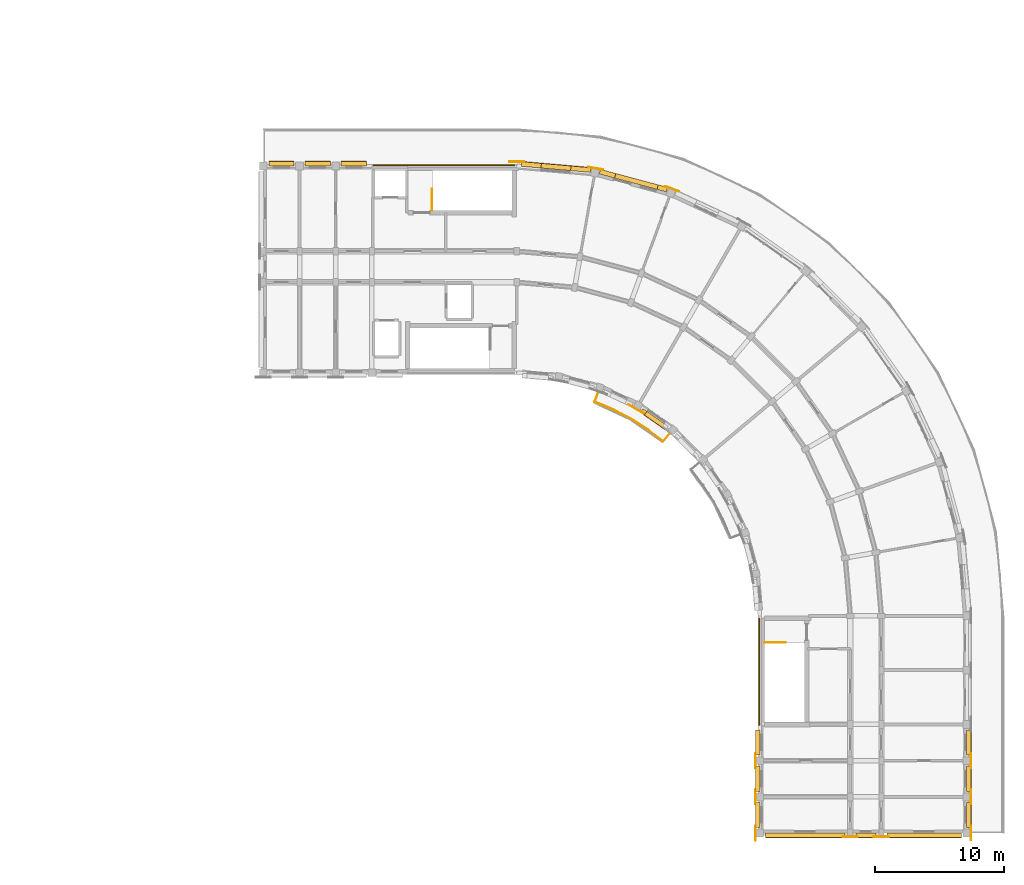
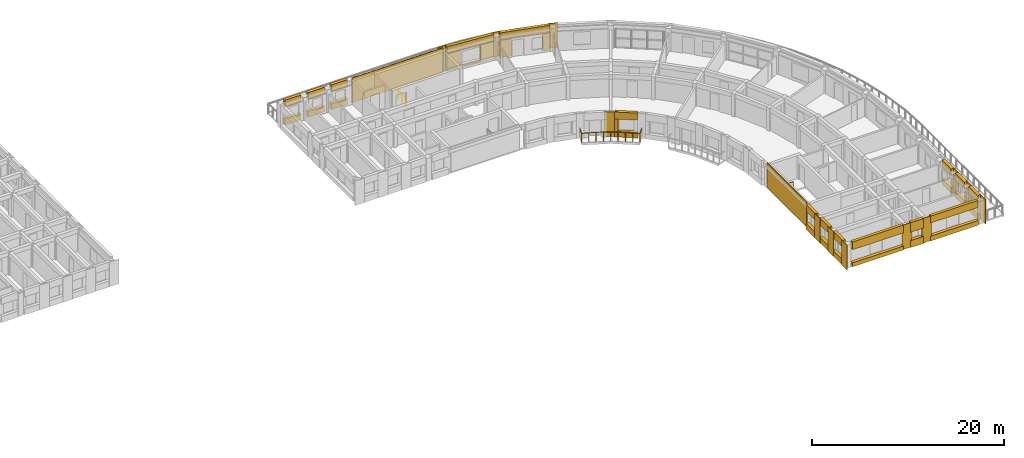
# One storey, part 30 of 32: 48 coverings, 3 railings.
"""IFC4 building model written with IfcOpenShell, lengths in metres."""

from ifc_helpers import new_model, si_unit, direction, frame, origin, origin_2d, place, context, subcontext, project, spatial, polyline, circle, outline, extrude, material, layer, layer_set, type_object, element, save


model = new_model("IFC4")

# Units and contexts
model_context = context("Model", 3, precision=1e-05, world=origin(), true_north=direction((0.0, 1.0)))
body_context = subcontext(model_context, "Body", "Model", "MODEL_VIEW")
ifc_project = project(units=[si_unit("LENGTHUNIT", "METRE"), si_unit("AREAUNIT", "SQUARE_METRE"), si_unit("VOLUMEUNIT", "CUBIC_METRE"), si_unit("PLANEANGLEUNIT", "RADIAN"), si_unit("MASSUNIT", "GRAM", prefix="KILO")], contexts=[model_context])

# Site, building, storey
site_placement = place(None, origin())
site = spatial("IfcSite", under=ifc_project, at=site_placement, CompositionType="ELEMENT")
building_placement = place(site_placement, origin())
building = spatial("IfcBuilding", under=site, at=building_placement, Name="Kiranvali Square Residences", CompositionType="ELEMENT")
storey_placement = place(building_placement, frame((0.0, 0.0, 40.199951171875)))
storey = spatial("IfcBuildingStorey", under=building, at=storey_placement, Name="L12", CompositionType="ELEMENT", Elevation=40.199951171875)

# Coverings
ifc_material_1 = material(Name="Honed Porbandar limestone ashlar facade cladding", Category="masonry")
ifc_layer_1 = layer(ifc_material_1, 0.3798828125)
ifc_layer_set_1 = layer_set([ifc_layer_1], Name="Honed Porbandar limestone ashlar facade cladding")
covering_type_1 = type_object("IfcCoveringType", Name="COV-CLAD-JAMB", PredefinedType="CLADDING", material=ifc_layer_set_1)
covering_1_placement = place(storey_placement, frame((0.0, 0.0, 0.35205078125)))
element("IfcCovering", 1, at=covering_1_placement, inside=storey, type_object=covering_type_1, Name="L12 deep limestone window jamb reveal B-L12-CRV-00.L", PredefinedType="CLADDING", context=body_context, shape_type="SweptSolid", body=[
    extrude(outline(polyline([(120.148681640625, 122.570068359375), (121.67578125, 122.436279296875), (121.707275390625, 122.79443359375), (120.179931640625, 122.92822265625), (120.148681640625, 122.570068359375)])), origin(), (0.0, 0.0, 1.0), 1.89990234375),
])
covering_2_placement = place(storey_placement, frame((0.0, 0.0, 0.35205078125)))
element("IfcCovering", 2, at=covering_2_placement, inside=storey, type_object=covering_type_1, Name="L12 deep limestone window jamb reveal B-L12-CRV-00.R", PredefinedType="CLADDING", context=body_context, shape_type="SweptSolid", body=[
    extrude(outline(polyline([(123.967041015625, 122.23583984375), (125.494384765625, 122.102294921875), (125.525634765625, 122.46044921875), (123.99853515625, 122.593994140625), (123.967041015625, 122.23583984375)])), origin(), (0.0, 0.0, 1.0), 1.89990234375),
])
covering_3_placement = place(storey_placement, origin())
element("IfcCovering", 3, at=covering_3_placement, inside=storey, type_object=covering_type_1, Name="L12 deep limestone window jamb reveal B-L12-CRV-01.L", PredefinedType="CLADDING", context=body_context, shape_type="SweptSolid", body=[
    extrude(outline(polyline([(126.18115234375, 121.981201171875), (127.367431640625, 121.663330078125), (127.46044921875, 122.010498046875), (126.274169921875, 122.328369140625), (126.18115234375, 121.981201171875)])), origin(), (0.0, 0.0, 1.0), 2.179931640625),
])
covering_4_placement = place(storey_placement, origin())
element("IfcCovering", 4, at=covering_4_placement, inside=storey, type_object=covering_type_1, Name="L12 deep limestone window jamb reveal B-L12-CRV-01.R", PredefinedType="CLADDING", context=body_context, shape_type="SweptSolid", body=[
    extrude(outline(polyline([(130.64453125, 120.78515625), (131.3642578125, 120.59228515625), (131.45751953125, 120.939697265625), (130.737548828125, 121.132568359375), (130.64453125, 120.78515625)])), origin(), (0.0, 0.0, 1.0), 2.179931640625),
])
covering_5_placement = place(storey_placement, frame((0.0, 0.0, 0.652099609375)))
element("IfcCovering", 5, at=covering_5_placement, inside=storey, type_object=covering_type_1, Name="L12 deep limestone window jamb reveal B-L12-GDN-03.L", PredefinedType="CLADDING", context=body_context, shape_type="SweptSolid", body=[
    extrude(outline(polyline([(129.365478515625, 103.55029296875), (129.67138671875, 103.336181640625), (129.8662109375, 103.6142578125), (129.56005859375, 103.828369140625), (129.365478515625, 103.55029296875)])), origin(), (0.0, 0.0, 1.0), 1.599853515625),
])
ifc_layer_2 = layer(ifc_material_1, 0.06494140625)
ifc_layer_set_2 = layer_set([ifc_layer_2], Name="Honed Porbandar limestone ashlar facade cladding")
covering_type_2 = type_object("IfcCoveringType", Name="COV-CLAD-PIER", PredefinedType="CLADDING", material=ifc_layer_set_2)
covering_6_placement = place(storey_placement, frame((0.0, 0.0, 0.005126953125)))
element("IfcCovering", 6, at=covering_6_placement, inside=storey, type_object=covering_type_2, Name="L12 Classical limestone corner pilaster CLAD-PR-B-L12-A00", PredefinedType="CLADDING", context=body_context, shape_type="SweptSolid", body=[
    extrude(outline(polyline([(120.3798828125, 122.968017578125), (119.219970703125, 122.968017578125), (119.219970703125, 122.900390625), (120.3798828125, 122.900390625), (120.3798828125, 122.968017578125)])), origin(), (0.0, 0.0, 1.0), 3.139892578125),
])
covering_7_placement = place(storey_placement, frame((0.0, 0.0, 0.005126953125)))
element("IfcCovering", 7, at=covering_7_placement, inside=storey, type_object=covering_type_2, Name="L12 Classical limestone corner pilaster CLAD-PR-B-L12-A01", PredefinedType="CLADDING", context=body_context, shape_type="SweptSolid", body=[
    extrude(outline(polyline([(126.47802734375, 122.3330078125), (125.335693359375, 122.534423828125), (125.323974609375, 122.468017578125), (126.46630859375, 122.2666015625), (126.47802734375, 122.3330078125)])), origin(), (0.0, 0.0, 1.0), 3.139892578125),
])
covering_8_placement = place(storey_placement, frame((0.0, 0.0, 0.005126953125)))
element("IfcCovering", 8, at=covering_8_placement, inside=storey, type_object=covering_type_2, Name="L12 Classical limestone corner pilaster CLAD-PR-B-L12-A02", PredefinedType="CLADDING", context=body_context, shape_type="SweptSolid", body=[
    extrude(outline(polyline([(132.373291015625, 120.648681640625), (131.283203125, 121.04541015625), (131.260009765625, 120.98193359375), (132.35009765625, 120.585205078125), (132.373291015625, 120.648681640625)])), origin(), (0.0, 0.0, 1.0), 3.139892578125),
])
covering_9_placement = place(storey_placement, frame((0.0, 0.0, 0.005126953125)))
element("IfcCovering", 9, at=covering_9_placement, inside=storey, type_object=covering_type_2, Name="Block B L12 upper core limestone ashlar cladding", PredefinedType="CLADDING", context=body_context, shape_type="SweptSolid", body=[
    extrude(outline(polyline([(119.64990234375, 122.699951171875), (108.699951171875, 122.699951171875), (108.699951171875, 122.60205078125), (119.64990234375, 122.60205078125), (119.64990234375, 122.699951171875)])), origin(), (0.0, 0.0, 1.0), 3.139892578125),
])
covering_10_placement = place(storey_placement, frame((0.0, 0.0, 0.005126953125)))
element("IfcCovering", 10, at=covering_10_placement, inside=storey, type_object=covering_type_2, Name="Block B L12 Arm 2 stair limestone ashlar cladding", PredefinedType="CLADDING", context=body_context, shape_type="SweptSolid", body=[
    extrude(outline(polyline([(138.52001953125, 87.60009765625), (138.52001953125, 79.35009765625), (138.597900390625, 79.35009765625), (138.597900390625, 87.60009765625), (138.52001953125, 87.60009765625)])), origin(), (0.0, 0.0, 1.0), 3.139892578125),
])
ifc_layer_3 = layer(ifc_material_1, 0.050048828125)
ifc_layer_set_3 = layer_set([ifc_layer_3], Name="Honed Porbandar limestone ashlar facade cladding")
covering_type_3 = type_object("IfcCoveringType", Name="COV-CLAD-PIER-IN", PredefinedType="CLADDING", material=ifc_layer_set_3)
covering_11_placement = place(storey_placement, frame((0.0, 0.0, 0.005126953125)))
element("IfcCovering", 11, at=covering_11_placement, inside=storey, type_object=covering_type_3, Name="L12 Classical garden courtyard pilaster CLAD-PRIN-B-L12-A03", PredefinedType="CLADDING", context=body_context, shape_type="SweptSolid", body=[
    extrude(outline(polyline([(128.40966796875, 104.112548828125), (129.622314453125, 103.41259765625), (129.656005859375, 103.470947265625), (128.443603515625, 104.171142578125), (128.40966796875, 104.112548828125)])), origin(), (0.0, 0.0, 1.0), 3.139892578125),
])
covering_12_placement = place(storey_placement, frame((0.0, 0.0, 0.005126953125)))
element("IfcCovering", 12, at=covering_12_placement, inside=storey, type_object=covering_type_3, Name="L12 Classical limestone pilaster casing CLAD-PRA2I-B-L12-V112", PredefinedType="CLADDING", context=body_context, shape_type="SweptSolid", body=[
    extrude(outline(polyline([(138.23193359375, 77.179931640625), (138.23193359375, 76.02001953125), (138.299560546875, 76.02001953125), (138.299560546875, 77.179931640625), (138.23193359375, 77.179931640625)])), origin(), (0.0, 0.0, 1.0), 3.139892578125),
])
covering_13_placement = place(storey_placement, frame((0.0, 0.0, 0.005126953125)))
element("IfcCovering", 13, at=covering_13_placement, inside=storey, type_object=covering_type_3, Name="L12 Classical limestone pilaster casing CLAD-PRA2I-B-L12-V140", PredefinedType="CLADDING", context=body_context, shape_type="SweptSolid", body=[
    extrude(outline(polyline([(138.23193359375, 74.3798828125), (138.23193359375, 73.219970703125), (138.299560546875, 73.219970703125), (138.299560546875, 74.3798828125), (138.23193359375, 74.3798828125)])), origin(), (0.0, 0.0, 1.0), 3.139892578125),
])
covering_14_placement = place(storey_placement, frame((0.0, 0.0, 0.005126953125)))
element("IfcCovering", 14, at=covering_14_placement, inside=storey, type_object=covering_type_3, Name="L12 Classical limestone pilaster casing CLAD-PRA2I-B-L12-V167", PredefinedType="CLADDING", context=body_context, shape_type="SweptSolid", body=[
    extrude(outline(polyline([(138.23193359375, 71.580078125), (138.23193359375, 70.419921875), (138.299560546875, 70.419921875), (138.299560546875, 71.580078125), (138.23193359375, 71.580078125)])), origin(), (0.0, 0.0, 1.0), 3.139892578125),
])
ifc_layer_4 = layer(ifc_material_1, 0.054931640625)
ifc_layer_set_4 = layer_set([ifc_layer_4], Name="Honed Porbandar limestone ashlar facade cladding")
covering_type_4 = type_object("IfcCoveringType", Name="COV-CLAD-PIER-UP", PredefinedType="CLADDING", material=ifc_layer_set_4)
covering_15_placement = place(storey_placement, frame((0.0, 0.0, 0.005126953125)))
element("IfcCovering", 15, at=covering_15_placement, inside=storey, type_object=covering_type_4, Name="L12 Classical limestone pilaster casing CLAD-PR-B-L12-V112", PredefinedType="CLADDING", context=body_context, shape_type="SweptSolid", body=[
    extrude(outline(polyline([(154.900390625, 77.179931640625), (154.900390625, 76.02001953125), (154.968017578125, 76.02001953125), (154.968017578125, 77.179931640625), (154.900390625, 77.179931640625)])), origin(), (0.0, 0.0, 1.0), 3.139892578125),
])
covering_16_placement = place(storey_placement, frame((0.0, 0.0, 0.005126953125)))
element("IfcCovering", 16, at=covering_16_placement, inside=storey, type_object=covering_type_4, Name="L12 Classical limestone pilaster casing CLAD-PR-B-L12-V140", PredefinedType="CLADDING", context=body_context, shape_type="SweptSolid", body=[
    extrude(outline(polyline([(154.900390625, 74.3798828125), (154.900390625, 73.219970703125), (154.968017578125, 73.219970703125), (154.968017578125, 74.3798828125), (154.900390625, 74.3798828125)])), origin(), (0.0, 0.0, 1.0), 3.139892578125),
])
covering_17_placement = place(storey_placement, frame((0.0, 0.0, 0.005126953125)))
element("IfcCovering", 17, at=covering_17_placement, inside=storey, type_object=covering_type_4, Name="L12 Classical limestone pilaster casing CLAD-PR-B-L12-V167", PredefinedType="CLADDING", context=body_context, shape_type="SweptSolid", body=[
    extrude(outline(polyline([(154.900390625, 71.580078125), (154.900390625, 70.419921875), (154.968017578125, 70.419921875), (154.968017578125, 71.580078125), (154.900390625, 71.580078125)])), origin(), (0.0, 0.0, 1.0), 3.139892578125),
])
covering_18_placement = place(storey_placement, frame((0.0, 0.0, 0.005126953125)))
element("IfcCovering", 18, at=covering_18_placement, inside=storey, type_object=covering_type_4, Name="L12 Classical limestone pilaster casing CLAD-PRA2E-B-L12-R258", PredefinedType="CLADDING", context=body_context, shape_type="SweptSolid", body=[
    extrude(outline(polyline([(145.02001953125, 70.681884765625), (146.179931640625, 70.681884765625), (146.179931640625, 70.74951171875), (145.02001953125, 70.74951171875), (145.02001953125, 70.681884765625)])), origin(), (0.0, 0.0, 1.0), 3.139892578125),
])
covering_19_placement = place(storey_placement, frame((0.0, 0.0, 0.005126953125)))
element("IfcCovering", 19, at=covering_19_placement, inside=storey, type_object=covering_type_4, Name="L12 Classical limestone pilaster casing CLAD-PRA2E-B-L12-R282", PredefinedType="CLADDING", context=body_context, shape_type="SweptSolid", body=[
    extrude(outline(polyline([(147.419921875, 70.681884765625), (148.580078125, 70.681884765625), (148.580078125, 70.74951171875), (147.419921875, 70.74951171875), (147.419921875, 70.681884765625)])), origin(), (0.0, 0.0, 1.0), 3.139892578125),
])
ifc_layer_5 = layer(ifc_material_1, 0.360107421875)
ifc_layer_set_5 = layer_set([ifc_layer_5], Name="Honed Porbandar limestone ashlar facade cladding")
covering_type_5 = type_object("IfcCoveringType", Name="COV-CLAD-WALL", PredefinedType="CLADDING", material=ifc_layer_set_5)
covering_20_placement = place(storey_placement, frame((0.0, 0.0, 2.251953125)))
element("IfcCovering", 20, at=covering_20_placement, inside=storey, type_object=covering_type_5, Name="L12 light limestone spandrel lintel B-L12-CRV-00", PredefinedType="CLADDING", context=body_context, shape_type="SweptSolid", body=[
    extrude(outline(polyline([(120.148681640625, 122.570068359375), (125.494384765625, 122.102294921875), (125.525634765625, 122.46044921875), (120.179931640625, 122.92822265625), (120.148681640625, 122.570068359375)])), origin(), (0.0, 0.0, 1.0), 0.89306640625),
])
covering_21_placement = place(storey_placement, frame((0.0, 0.0, 2.179931640625)))
element("IfcCovering", 21, at=covering_21_placement, inside=storey, type_object=covering_type_5, Name="L12 light limestone spandrel lintel B-L12-CRV-01", PredefinedType="CLADDING", context=body_context, shape_type="SweptSolid", body=[
    extrude(outline(polyline([(126.18115234375, 121.981201171875), (131.3642578125, 120.59228515625), (131.45751953125, 120.939697265625), (126.274169921875, 122.328369140625), (126.18115234375, 121.981201171875)])), origin(), (0.0, 0.0, 1.0), 0.965087890625),
])
covering_22_placement = place(storey_placement, frame((0.0, 0.0, 2.251953125)))
element("IfcCovering", 22, at=covering_22_placement, inside=storey, type_object=covering_type_5, Name="L12 light limestone spandrel lintel B-L12-GDN-03", PredefinedType="CLADDING", context=body_context, shape_type="SweptSolid", body=[
    extrude(outline(polyline([(129.365478515625, 103.55029296875), (131.328857421875, 102.175537109375), (131.523681640625, 102.45361328125), (129.56005859375, 103.828369140625), (129.365478515625, 103.55029296875)])), origin(), (0.0, 0.0, 1.0), 0.89306640625),
])
covering_23_placement = place(storey_placement, frame((0.0, 0.0, 2.251953125)))
element("IfcCovering", 23, at=covering_23_placement, inside=storey, type_object=covering_type_5, Name="L12 light limestone spandrel lintel B-L12-A1TO-0", PredefinedType="CLADDING", context=body_context, shape_type="SweptSolid", body=[
    extrude(outline(polyline([(108.179931640625, 122.949951171875), (106.219970703125, 122.949951171875), (106.219970703125, 122.6005859375), (108.179931640625, 122.6005859375), (108.179931640625, 122.949951171875)])), origin(), (0.0, 0.0, 1.0), 0.89306640625),
])
covering_24_placement = place(storey_placement, frame((0.0, 0.0, 2.251953125)))
element("IfcCovering", 24, at=covering_24_placement, inside=storey, type_object=covering_type_5, Name="L12 light limestone spandrel lintel B-L12-A1TO-1", PredefinedType="CLADDING", context=body_context, shape_type="SweptSolid", body=[
    extrude(outline(polyline([(105.3798828125, 122.949951171875), (103.419921875, 122.949951171875), (103.419921875, 122.6005859375), (105.3798828125, 122.6005859375), (105.3798828125, 122.949951171875)])), origin(), (0.0, 0.0, 1.0), 0.89306640625),
])
covering_25_placement = place(storey_placement, frame((0.0, 0.0, 2.251953125)))
element("IfcCovering", 25, at=covering_25_placement, inside=storey, type_object=covering_type_5, Name="L12 light limestone spandrel lintel B-L12-A1TO-2", PredefinedType="CLADDING", context=body_context, shape_type="SweptSolid", body=[
    extrude(outline(polyline([(102.580078125, 122.949951171875), (100.6201171875, 122.949951171875), (100.6201171875, 122.6005859375), (102.580078125, 122.6005859375), (102.580078125, 122.949951171875)])), origin(), (0.0, 0.0, 1.0), 0.89306640625),
])
covering_26_placement = place(storey_placement, frame((0.0, 0.0, 2.251953125)))
element("IfcCovering", 26, at=covering_26_placement, inside=storey, type_object=covering_type_5, Name="L12 light limestone spandrel lintel B-L12-A2O-2", PredefinedType="CLADDING", context=body_context, shape_type="SweptSolid", body=[
    extrude(outline(polyline([(154.6005859375, 78.97998046875), (154.6005859375, 77.02001953125), (154.949951171875, 77.02001953125), (154.949951171875, 78.97998046875), (154.6005859375, 78.97998046875)])), origin(), (0.0, 0.0, 1.0), 0.89306640625),
])
covering_27_placement = place(storey_placement, frame((0.0, 0.0, 2.251953125)))
element("IfcCovering", 27, at=covering_27_placement, inside=storey, type_object=covering_type_5, Name="L12 light limestone spandrel lintel B-L12-A2O-3", PredefinedType="CLADDING", context=body_context, shape_type="SweptSolid", body=[
    extrude(outline(polyline([(154.6005859375, 76.179931640625), (154.6005859375, 74.219970703125), (154.949951171875, 74.219970703125), (154.949951171875, 76.179931640625), (154.6005859375, 76.179931640625)])), origin(), (0.0, 0.0, 1.0), 0.89306640625),
])
covering_28_placement = place(storey_placement, frame((0.0, 0.0, 2.251953125)))
element("IfcCovering", 28, at=covering_28_placement, inside=storey, type_object=covering_type_5, Name="L12 light limestone spandrel lintel B-L12-A2O-4", PredefinedType="CLADDING", context=body_context, shape_type="SweptSolid", body=[
    extrude(outline(polyline([(154.6005859375, 73.3798828125), (154.6005859375, 71.419921875), (154.949951171875, 71.419921875), (154.949951171875, 73.3798828125), (154.6005859375, 73.3798828125)])), origin(), (0.0, 0.0, 1.0), 0.89306640625),
])
covering_29_placement = place(storey_placement, frame((0.0, 0.0, 2.251953125)))
element("IfcCovering", 29, at=covering_29_placement, inside=storey, type_object=covering_type_5, Name="L12 light limestone spandrel lintel B-L12-A2I-0", PredefinedType="CLADDING", context=body_context, shape_type="SweptSolid", body=[
    extrude(outline(polyline([(138.280029296875, 78.97998046875), (138.280029296875, 77.02001953125), (138.599609375, 77.02001953125), (138.599609375, 78.97998046875), (138.280029296875, 78.97998046875)])), origin(), (0.0, 0.0, 1.0), 0.89306640625),
])
covering_30_placement = place(storey_placement, frame((0.0, 0.0, 2.251953125)))
element("IfcCovering", 30, at=covering_30_placement, inside=storey, type_object=covering_type_5, Name="L12 light limestone spandrel lintel B-L12-A2I-1", PredefinedType="CLADDING", context=body_context, shape_type="SweptSolid", body=[
    extrude(outline(polyline([(138.280029296875, 76.179931640625), (138.280029296875, 74.219970703125), (138.599609375, 74.219970703125), (138.599609375, 76.179931640625), (138.280029296875, 76.179931640625)])), origin(), (0.0, 0.0, 1.0), 0.89306640625),
])
covering_31_placement = place(storey_placement, frame((0.0, 0.0, 2.251953125)))
element("IfcCovering", 31, at=covering_31_placement, inside=storey, type_object=covering_type_5, Name="L12 light limestone spandrel lintel B-L12-A2I-2", PredefinedType="CLADDING", context=body_context, shape_type="SweptSolid", body=[
    extrude(outline(polyline([(138.280029296875, 73.3798828125), (138.280029296875, 71.419921875), (138.599609375, 71.419921875), (138.599609375, 73.3798828125), (138.280029296875, 73.3798828125)])), origin(), (0.0, 0.0, 1.0), 0.89306640625),
])
covering_32_placement = place(storey_placement, frame((0.0, 0.0, 2.152099609375)))
element("IfcCovering", 32, at=covering_32_placement, inside=storey, type_object=covering_type_5, Name="L12 light limestone spandrel lintel B-L12-A2END-0", PredefinedType="CLADDING", context=body_context, shape_type="SweptSolid", body=[
    extrude(outline(polyline([(139.02001953125, 70.659912109375), (145.179931640625, 70.659912109375), (145.179931640625, 70.99951171875), (139.02001953125, 70.99951171875), (139.02001953125, 70.659912109375)])), origin(), (0.0, 0.0, 1.0), 0.992919921875),
])
covering_33_placement = place(storey_placement, frame((0.0, 0.0, 1.929931640625)))
element("IfcCovering", 33, at=covering_33_placement, inside=storey, type_object=covering_type_5, Name="L12 light limestone spandrel lintel B-L12-A2END-1", PredefinedType="CLADDING", context=body_context, shape_type="SweptSolid", body=[
    extrude(outline(polyline([(146.02001953125, 70.659912109375), (147.580078125, 70.659912109375), (147.580078125, 70.99951171875), (146.02001953125, 70.99951171875), (146.02001953125, 70.659912109375)])), origin(), (0.0, 0.0, 1.0), 1.215087890625),
])
covering_34_placement = place(storey_placement, frame((0.0, 0.0, 2.260009765625)))
element("IfcCovering", 34, at=covering_34_placement, inside=storey, type_object=covering_type_5, Name="L12 light limestone spandrel lintel B-L12-A2END-2", PredefinedType="CLADDING", context=body_context, shape_type="SweptSolid", body=[
    extrude(outline(polyline([(148.419921875, 70.659912109375), (154.179931640625, 70.659912109375), (154.179931640625, 70.99951171875), (148.419921875, 70.99951171875), (148.419921875, 70.659912109375)])), origin(), (0.0, 0.0, 1.0), 0.885009765625),
])
ifc_layer_6 = layer(ifc_material_1, 0.320068359375)
ifc_layer_set_6 = layer_set([ifc_layer_6], Name="Honed Porbandar limestone ashlar facade cladding")
covering_type_6 = type_object("IfcCoveringType", Name="COV-CLAD-WALL-UP", PredefinedType="CLADDING", material=ifc_layer_set_6)
covering_35_placement = place(storey_placement, frame((0.0, 0.0, 0.005126953125)))
element("IfcCovering", 35, at=covering_35_placement, inside=storey, type_object=covering_type_6, Name="L12 limestone window sill apron B-L12-CRV-00", PredefinedType="CLADDING", context=body_context, shape_type="SweptSolid", body=[
    extrude(outline(polyline([(120.148681640625, 122.570068359375), (125.494384765625, 122.102294921875), (125.5283203125, 122.490234375), (120.1826171875, 122.9580078125), (120.148681640625, 122.570068359375)])), origin(), (0.0, 0.0, 1.0), 0.346923828125),
])
covering_36_placement = place(storey_placement, frame((0.0, 0.0, 0.005126953125)))
element("IfcCovering", 36, at=covering_36_placement, inside=storey, type_object=covering_type_6, Name="L12 limestone window sill apron B-L12-GDN-03", PredefinedType="CLADDING", context=body_context, shape_type="SweptSolid", body=[
    extrude(outline(polyline([(129.34814453125, 103.52587890625), (131.311767578125, 102.15087890625), (131.523681640625, 102.45361328125), (129.56005859375, 103.828369140625), (129.34814453125, 103.52587890625)])), origin(), (0.0, 0.0, 1.0), 0.64697265625),
])
covering_37_placement = place(storey_placement, frame((0.0, 0.0, 0.005126953125)))
element("IfcCovering", 37, at=covering_37_placement, inside=storey, type_object=covering_type_6, Name="L12 limestone window sill apron B-L12-A1TO-0", PredefinedType="CLADDING", context=body_context, shape_type="SweptSolid", body=[
    extrude(outline(polyline([(108.179931640625, 122.97998046875), (106.219970703125, 122.97998046875), (106.219970703125, 122.6005859375), (108.179931640625, 122.6005859375), (108.179931640625, 122.97998046875)])), origin(), (0.0, 0.0, 1.0), 0.746826171875),
])
covering_38_placement = place(storey_placement, frame((0.0, 0.0, 0.005126953125)))
element("IfcCovering", 38, at=covering_38_placement, inside=storey, type_object=covering_type_6, Name="L12 limestone window sill apron B-L12-A1TO-1", PredefinedType="CLADDING", context=body_context, shape_type="SweptSolid", body=[
    extrude(outline(polyline([(105.3798828125, 122.97998046875), (103.419921875, 122.97998046875), (103.419921875, 122.6005859375), (105.3798828125, 122.6005859375), (105.3798828125, 122.97998046875)])), origin(), (0.0, 0.0, 1.0), 0.746826171875),
])
covering_39_placement = place(storey_placement, frame((0.0, 0.0, 0.005126953125)))
element("IfcCovering", 39, at=covering_39_placement, inside=storey, type_object=covering_type_6, Name="L12 limestone window sill apron B-L12-A1TO-2", PredefinedType="CLADDING", context=body_context, shape_type="SweptSolid", body=[
    extrude(outline(polyline([(102.580078125, 122.97998046875), (100.6201171875, 122.97998046875), (100.6201171875, 122.6005859375), (102.580078125, 122.6005859375), (102.580078125, 122.97998046875)])), origin(), (0.0, 0.0, 1.0), 0.746826171875),
])
covering_40_placement = place(storey_placement, frame((0.0, 0.0, 0.005126953125)))
element("IfcCovering", 40, at=covering_40_placement, inside=storey, type_object=covering_type_6, Name="L12 limestone window sill apron B-L12-A2O-2", PredefinedType="CLADDING", context=body_context, shape_type="SweptSolid", body=[
    extrude(outline(polyline([(154.6005859375, 78.97998046875), (154.6005859375, 77.02001953125), (154.97998046875, 77.02001953125), (154.97998046875, 78.97998046875), (154.6005859375, 78.97998046875)])), origin(), (0.0, 0.0, 1.0), 0.746826171875),
])
covering_41_placement = place(storey_placement, frame((0.0, 0.0, 0.005126953125)))
element("IfcCovering", 41, at=covering_41_placement, inside=storey, type_object=covering_type_6, Name="L12 limestone window sill apron B-L12-A2O-3", PredefinedType="CLADDING", context=body_context, shape_type="SweptSolid", body=[
    extrude(outline(polyline([(154.6005859375, 76.179931640625), (154.6005859375, 74.219970703125), (154.97998046875, 74.219970703125), (154.97998046875, 76.179931640625), (154.6005859375, 76.179931640625)])), origin(), (0.0, 0.0, 1.0), 0.746826171875),
])
covering_42_placement = place(storey_placement, frame((0.0, 0.0, 0.005126953125)))
element("IfcCovering", 42, at=covering_42_placement, inside=storey, type_object=covering_type_6, Name="L12 limestone window sill apron B-L12-A2O-4", PredefinedType="CLADDING", context=body_context, shape_type="SweptSolid", body=[
    extrude(outline(polyline([(154.6005859375, 73.3798828125), (154.6005859375, 71.419921875), (154.97998046875, 71.419921875), (154.97998046875, 73.3798828125), (154.6005859375, 73.3798828125)])), origin(), (0.0, 0.0, 1.0), 0.746826171875),
])
covering_43_placement = place(storey_placement, frame((0.0, 0.0, 0.005126953125)))
element("IfcCovering", 43, at=covering_43_placement, inside=storey, type_object=covering_type_6, Name="L12 limestone window sill apron B-L12-A2I-0", PredefinedType="CLADDING", context=body_context, shape_type="SweptSolid", body=[
    extrude(outline(polyline([(138.25, 78.97998046875), (138.25, 77.02001953125), (138.599609375, 77.02001953125), (138.599609375, 78.97998046875), (138.25, 78.97998046875)])), origin(), (0.0, 0.0, 1.0), 0.746826171875),
])
covering_44_placement = place(storey_placement, frame((0.0, 0.0, 0.005126953125)))
element("IfcCovering", 44, at=covering_44_placement, inside=storey, type_object=covering_type_6, Name="L12 limestone window sill apron B-L12-A2I-1", PredefinedType="CLADDING", context=body_context, shape_type="SweptSolid", body=[
    extrude(outline(polyline([(138.25, 76.179931640625), (138.25, 74.219970703125), (138.599609375, 74.219970703125), (138.599609375, 76.179931640625), (138.25, 76.179931640625)])), origin(), (0.0, 0.0, 1.0), 0.746826171875),
])
covering_45_placement = place(storey_placement, frame((0.0, 0.0, 0.005126953125)))
element("IfcCovering", 45, at=covering_45_placement, inside=storey, type_object=covering_type_6, Name="L12 limestone window sill apron B-L12-A2I-2", PredefinedType="CLADDING", context=body_context, shape_type="SweptSolid", body=[
    extrude(outline(polyline([(138.25, 73.3798828125), (138.25, 71.419921875), (138.599609375, 71.419921875), (138.599609375, 73.3798828125), (138.25, 73.3798828125)])), origin(), (0.0, 0.0, 1.0), 0.746826171875),
])
covering_46_placement = place(storey_placement, frame((0.0, 0.0, 0.005126953125)))
element("IfcCovering", 46, at=covering_46_placement, inside=storey, type_object=covering_type_6, Name="L12 limestone window sill apron B-L12-A2END-0", PredefinedType="CLADDING", context=body_context, shape_type="SweptSolid", body=[
    extrude(outline(polyline([(139.02001953125, 70.6298828125), (145.179931640625, 70.6298828125), (145.179931640625, 70.99951171875), (139.02001953125, 70.99951171875), (139.02001953125, 70.6298828125)])), origin(), (0.0, 0.0, 1.0), 0.496826171875),
])
covering_47_placement = place(storey_placement, frame((0.0, 0.0, 0.005126953125)))
element("IfcCovering", 47, at=covering_47_placement, inside=storey, type_object=covering_type_6, Name="L12 limestone window sill apron B-L12-A2END-1", PredefinedType="CLADDING", context=body_context, shape_type="SweptSolid", body=[
    extrude(outline(polyline([(146.02001953125, 70.6298828125), (147.580078125, 70.6298828125), (147.580078125, 70.99951171875), (146.02001953125, 70.99951171875), (146.02001953125, 70.6298828125)])), origin(), (0.0, 0.0, 1.0), 0.875),
])
covering_48_placement = place(storey_placement, frame((0.0, 0.0, 0.005126953125)))
element("IfcCovering", 48, at=covering_48_placement, inside=storey, type_object=covering_type_6, Name="L12 limestone window sill apron B-L12-A2END-2", PredefinedType="CLADDING", context=body_context, shape_type="SweptSolid", body=[
    extrude(outline(polyline([(148.419921875, 70.6298828125), (154.179931640625, 70.6298828125), (154.179931640625, 70.99951171875), (148.419921875, 70.99951171875), (148.419921875, 70.6298828125)])), origin(), (0.0, 0.0, 1.0), 0.60498046875),
])

# Railings
ifc_material_2 = material(Name="Powder-coated architectural bronze balustrade", Category="steel")
railing_type_1 = type_object("IfcRailingType", Name="RL-BAL-GOLD-1200", PredefinedType="BALUSTRADE", material=ifc_material_2)
railing_1_placement = place(storey_placement, frame((126.21630859375, 105.4287109375, 0.0)))
element("IfcRailing", 49, at=railing_1_placement, inside=storey, type_object=railing_type_1, Name="Block B L12 garden balcony gold balustrade 1", PredefinedType="BALUSTRADE", context=body_context, shape_type="SweptSolid", body=[
    extrude(circle(Radius=0.02392578125, at=origin_2d()), frame((0.0, 0.0, 1.17578125), z_axis=(-0.341964618562, -0.939712828289, 0.0), x_axis=(0.939712828289, -0.341964618562, 0.0)), (0.0, 0.0, 1.0), 1.150146484375),
    extrude(circle(Radius=0.02392578125, at=origin_2d()), frame((-0.393310546875, -1.080810546875, 1.17578125), z_axis=(0.923892883829, -0.382651197843, 0.0), x_axis=(0.382651197843, 0.923892883829, 0.0)), (0.0, 0.0, 1.0), 1.536376953125),
    extrude(circle(Radius=0.02392578125, at=origin_2d()), frame((1.026123046875, -1.668701171875, 1.17578125), z_axis=(0.887029366154, -0.461713009976, 0.0), x_axis=(0.461713009976, 0.887029366154, 0.0)), (0.0, 0.0, 1.0), 1.5361328125),
    extrude(circle(Radius=0.02392578125, at=origin_2d()), frame((2.388671875, -2.3779296875, 1.17578125), z_axis=(0.843386539688, -0.537307309343, 0.0), x_axis=(0.537307309343, 0.843386539688, 0.0)), (0.0, 0.0, 1.0), 1.5361328125),
    extrude(circle(Radius=0.02392578125, at=origin_2d()), frame((3.684326171875, -3.203369140625, 1.17578125), z_axis=(0.793314680996, -0.608811807471, 0.0), x_axis=(0.608811807471, 0.793314680996, 0.0)), (0.0, 0.0, 1.0), 1.536376953125),
    extrude(circle(Radius=0.02392578125, at=origin_2d()), frame((4.903076171875, -4.138671875, 1.17578125), z_axis=(0.642853454051, 0.765989188314, 0.0), x_axis=(-0.765989188314, 0.642853454051, 0.0)), (0.0, 0.0, 1.0), 1.14990234375),
    extrude(circle(Radius=0.02099609375, at=origin_2d()), origin(), (0.0, 0.0, 1.0), 1.15185546875),
    extrude(circle(Radius=0.02099609375, at=origin_2d()), frame((-0.393310546875, -1.080810546875, 0.0)), (0.0, 0.0, 1.0), 1.15185546875),
    extrude(circle(Radius=0.02099609375, at=origin_2d()), frame((0.31640625, -1.374755859375, 0.0)), (0.0, 0.0, 1.0), 1.15185546875),
    extrude(circle(Radius=0.02099609375, at=origin_2d()), frame((1.026123046875, -1.668701171875, 0.0)), (0.0, 0.0, 1.0), 1.15185546875),
    extrude(circle(Radius=0.02099609375, at=origin_2d()), frame((1.70751953125, -2.0234375, 0.0)), (0.0, 0.0, 1.0), 1.15185546875),
    extrude(circle(Radius=0.02099609375, at=origin_2d()), frame((2.388671875, -2.3779296875, 0.0)), (0.0, 0.0, 1.0), 1.15185546875),
    extrude(circle(Radius=0.02099609375, at=origin_2d()), frame((3.03662109375, -2.79052734375, 0.0)), (0.0, 0.0, 1.0), 1.15185546875),
    extrude(circle(Radius=0.02099609375, at=origin_2d()), frame((3.684326171875, -3.203369140625, 0.0)), (0.0, 0.0, 1.0), 1.15185546875),
    extrude(circle(Radius=0.02099609375, at=origin_2d()), frame((4.293701171875, -3.6708984375, 0.0)), (0.0, 0.0, 1.0), 1.15185546875),
    extrude(circle(Radius=0.02099609375, at=origin_2d()), frame((4.903076171875, -4.138671875, 0.0)), (0.0, 0.0, 1.0), 1.15185546875),
    extrude(circle(Radius=0.02099609375, at=origin_2d()), frame((5.642333984375, -3.2578125, 0.0)), (0.0, 0.0, 1.0), 1.15185546875),
])
railing_type_2 = type_object("IfcRailingType", Name="RL-ST-GUARD-1200", PredefinedType="GUARDRAIL", material=ifc_material_2)
railing_2_placement = place(storey_placement, frame((113.25, 119.14990234375, 0.0)))
element("IfcRailing", 50, at=railing_2_placement, inside=storey, type_object=railing_type_2, Name="L12 ST-B1 top well guard 1", PredefinedType="GUARDRAIL", context=body_context, shape_type="SweptSolid", body=[
    extrude(circle(Radius=0.02392578125, at=origin_2d()), frame((0.0, 0.0, 1.1259765625), z_axis=(0.0, 1.0, 0.0), x_axis=(-1.0, 0.0, 0.0)), (0.0, 0.0, 1.0), 1.650146484375),
    extrude(circle(Radius=0.02099609375, at=origin_2d()), origin(), (0.0, 0.0, 1.0), 1.101806640625),
    extrude(circle(Radius=0.02099609375, at=origin_2d()), frame((0.0, 0.8251953125, 0.0)), (0.0, 0.0, 1.0), 1.101806640625),
    extrude(circle(Radius=0.02099609375, at=origin_2d()), frame((0.0, 1.650146484375, 0.0)), (0.0, 0.0, 1.0), 1.101806640625),
])
railing_3_placement = place(storey_placement, frame((138.949951171875, 85.75, 0.0)))
element("IfcRailing", 51, at=railing_3_placement, inside=storey, type_object=railing_type_2, Name="L12 ST-B3 top well guard 1", PredefinedType="GUARDRAIL", context=body_context, shape_type="SweptSolid", body=[
    extrude(circle(Radius=0.02392578125, at=origin_2d()), frame((0.0, 0.0, 1.1259765625), z_axis=(1.0, 0.0, 0.0), x_axis=(0.0, 1.0, 0.0)), (0.0, 0.0, 1.0), 1.650146484375),
    extrude(circle(Radius=0.02099609375, at=origin_2d()), origin(), (0.0, 0.0, 1.0), 1.101806640625),
    extrude(circle(Radius=0.02099609375, at=origin_2d()), frame((0.8251953125, 0.0, 0.0)), (0.0, 0.0, 1.0), 1.101806640625),
    extrude(circle(Radius=0.02099609375, at=origin_2d()), frame((1.650146484375, 0.0, 0.0)), (0.0, 0.0, 1.0), 1.101806640625),
])

save(model, "model.ifc")
